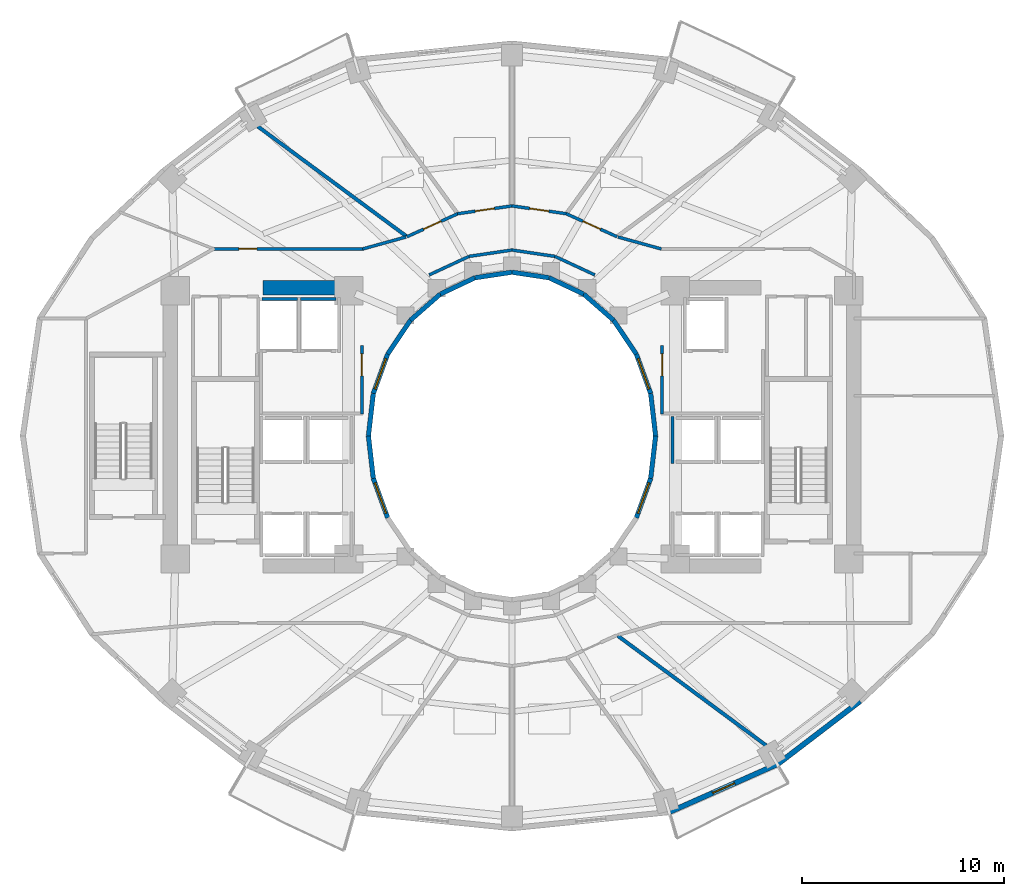
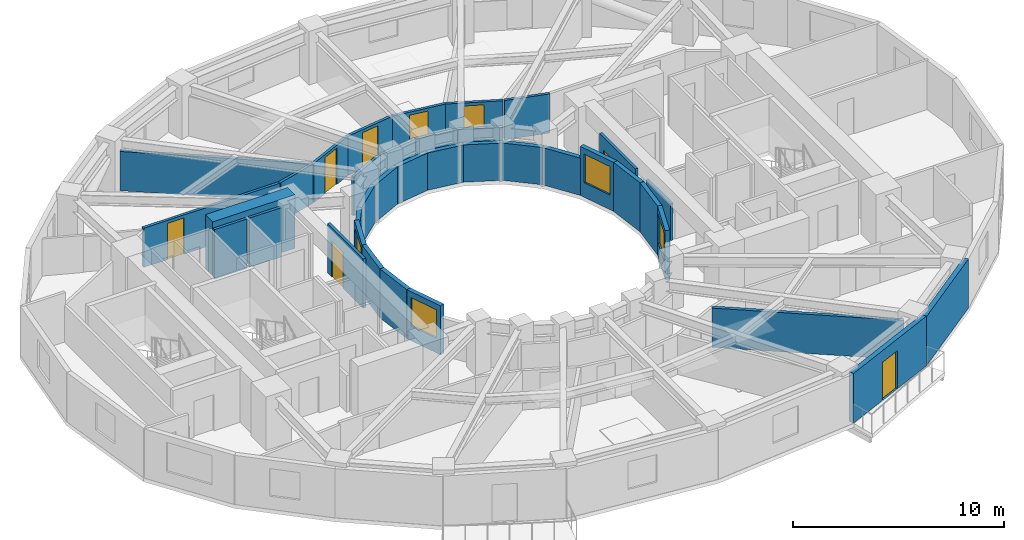
# One storey, part 5 of 10: 37 walls, 8 doors, 4 windows, 12 openings.
"""IFC4 building model written with IfcOpenShell, lengths in metres."""

from ifc_helpers import new_model, si_unit, direction, frame, frame_2d, origin, place, context, subcontext, project, spatial, rectangle, extrude, material, layer, layer_set, type_object, element, fill, save


model = new_model("IFC4")

# Units and contexts
model_context = context("Model", 3, precision=1e-05, world=origin(), true_north=direction((0.0, 1.0)))
body_context = subcontext(model_context, "Body", "Model", "MODEL_VIEW")
ifc_project = project(units=[si_unit("LENGTHUNIT", "METRE"), si_unit("AREAUNIT", "SQUARE_METRE"), si_unit("VOLUMEUNIT", "CUBIC_METRE"), si_unit("PLANEANGLEUNIT", "RADIAN"), si_unit("MASSUNIT", "GRAM", prefix="KILO")], contexts=[model_context])

# Site, building, storey
site_placement = place(None, origin())
site = spatial("IfcSite", under=ifc_project, at=site_placement, CompositionType="ELEMENT")
building_placement = place(site_placement, origin())
building = spatial("IfcBuilding", under=site, at=building_placement, Name="Solvane Sanctuary Tower", CompositionType="ELEMENT")
storey_placement = place(building_placement, frame((0.0, 0.0, 107.300048828125)))
storey = spatial("IfcBuildingStorey", under=building, at=storey_placement, Name="L32", CompositionType="ELEMENT", Elevation=107.300048828125)

# Wall
ifc_material_1 = material(Name="Concrete C60/75", Category="concrete")
ifc_layer_1 = layer(ifc_material_1, 0.699951171875, Name="Concrete C60/75")
ifc_layer_set_1 = layer_set([ifc_layer_1], Name="Concrete C60/75")
wall_type_1 = type_object("IfcWallType", Name="Wall W-CORE-700", PredefinedType="SHEAR", material=ifc_layer_set_1)
wall_1_placement = place(storey_placement, frame((19.64990234375, 30.35009765625, 0.0), z_axis=(0.0, 0.0, 1.0), x_axis=(1.0, 0.0, 0.0)))
element("IfcWall", 1, at=wall_1_placement, inside=storey, type_object=wall_type_1, Name="L32 Core Shear Wall WC-N", PredefinedType="SHEAR", context=body_context, shape_type="SweptSolid", body=[
    extrude(rectangle(XDim=4.5, YDim=0.699951171875, at=frame_2d((2.25, 0.0))), origin(), (0.0, 0.0, 1.0), 3.099853515625),
])

# Wall, opening, door
ifc_material_2 = material(Name="Acoustic Gypsum Partition Board")
ifc_layer_2 = layer(ifc_material_2, 0.14990234375, Name="Acoustic Gypsum Partition Board")
ifc_layer_set_2 = layer_set([ifc_layer_2], Name="Acoustic Gypsum Partition Board")
wall_type_2 = type_object("IfcWallType", Name="Wall W-CORR-150", PredefinedType="PARTITIONING", material=ifc_layer_set_2)
wall_2_placement = place(storey_placement, frame((24.550048828125, 24.080078125, 0.0), z_axis=(0.0, 0.0, 1.0), x_axis=(0.0, 1.0, 0.0)))
wall_2 = element("IfcWall", 2, at=wall_2_placement, inside=storey, type_object=wall_type_2, Name="L32 West Firefighting Lobby East Wall", PredefinedType="PARTITIONING", context=body_context, shape_type="SweptSolid", body=[
    extrude(rectangle(XDim=3.39990234375, YDim=0.14990234375, at=frame_2d((1.699951171875, 0.0))), origin(), (0.0, 0.0, 1.0), 2.85498046875),
])
opening_1_placement = place(wall_2_placement, frame((1.893798828125, 0.0, 0.0)))
opening_1 = element("IfcOpeningElement", 3, at=opening_1_placement, cuts=wall_2, Name="Opening D-L32-08", PredefinedType="OPENING", context=body_context, shape_type="SweptSolid", body=[
    extrude(rectangle(XDim=1.10009765625, YDim=2.10009765625, at=frame_2d((0.550048828125, 1.050048828125))), frame((0.0, 0.0849609375, 0.0), z_axis=(0.0, -1.0, 0.0), x_axis=(1.0, 0.0, 0.0)), (0.0, 0.0, 1.0), 0.169921875),
])
ifc_material_3 = material(Name="Architectural Stainless Steel 316", Category="steel")
door_type_1 = type_object("IfcDoorType", Name="Door D-FFL", OperationType="NOTDEFINED", PredefinedType="DOOR", material=ifc_material_3)
door_1_placement = place(opening_1_placement, origin())
door_1 = element("IfcDoor", 4, at=door_1_placement, inside=storey, type_object=door_type_1, Name="L32 West Firefighting Lobby Fire Door", OperationType="SINGLE_SWING_LEFT", OverallHeight=2.10009765625, OverallWidth=1.10009765625, PredefinedType="DOOR", context=body_context, shape_type="SweptSolid", body=[
    extrude(rectangle(XDim=1.10009765625, YDim=2.10009765625, at=frame_2d((0.550048828125, 1.050048828125))), frame((0.0, 0.02490234375, 0.0), z_axis=(0.0, -1.0, 0.0), x_axis=(1.0, 0.0, 0.0)), (0.0, 0.0, 1.0), 0.050048828125),
])
fill(opening_1, door_1)

wall_3_placement = place(storey_placement, frame((39.449951171875, 24.080078125, 0.0), z_axis=(0.0, 0.0, 1.0), x_axis=(0.0, 1.0, 0.0)))
wall_3 = element("IfcWall", 5, at=wall_3_placement, inside=storey, type_object=wall_type_2, Name="L32 East Firefighting Lobby West Wall", PredefinedType="PARTITIONING", context=body_context, shape_type="SweptSolid", body=[
    extrude(rectangle(XDim=3.39990234375, YDim=0.14990234375, at=frame_2d((1.699951171875, 0.0))), origin(), (0.0, 0.0, 1.0), 2.85498046875),
])
opening_2_placement = place(wall_3_placement, frame((1.893798828125, 0.0, 0.0)))
opening_2 = element("IfcOpeningElement", 6, at=opening_2_placement, cuts=wall_3, Name="Opening D-L32-09", PredefinedType="OPENING", context=body_context, shape_type="SweptSolid", body=[
    extrude(rectangle(XDim=1.10009765625, YDim=2.10009765625, at=frame_2d((0.550048828125, 1.050048828125))), frame((0.0, 0.0849609375, 0.0), z_axis=(0.0, -1.0, 0.0), x_axis=(1.0, 0.0, 0.0)), (0.0, 0.0, 1.0), 0.169921875),
])
door_2_placement = place(opening_2_placement, origin())
door_2 = element("IfcDoor", 7, at=door_2_placement, inside=storey, type_object=door_type_1, Name="L32 East Firefighting Lobby Fire Door", OperationType="SINGLE_SWING_RIGHT", OverallHeight=2.10009765625, OverallWidth=1.10009765625, PredefinedType="DOOR", context=body_context, shape_type="SweptSolid", body=[
    extrude(rectangle(XDim=1.10009765625, YDim=2.10009765625, at=frame_2d((0.550048828125, 1.050048828125))), frame((0.0, 0.02490234375, 0.0), z_axis=(0.0, -1.0, 0.0), x_axis=(1.0, 0.0, 0.0)), (0.0, 0.0, 1.0), 0.050048828125),
])
fill(opening_2, door_2)

# Walls
wall_4_placement = place(storey_placement, frame((36.110107421875, 30.98486328125, 0.0), z_axis=(0.0, 0.0, 1.0), x_axis=(-0.906943449489, 0.421252393975, 0.0)))
element("IfcWall", 8, at=wall_4_placement, inside=storey, type_object=wall_type_2, Name="L32 Light-Well Corridor Rim Wall N1", PredefinedType="PARTITIONING", context=body_context, shape_type="SweptSolid", body=[
    extrude(rectangle(XDim=2.18603515625, YDim=0.14990234375, at=frame_2d((1.093017578125, 0.0))), origin(), (0.0, 0.0, 1.0), 2.27197265625),
])
for number, where, z_axis, x_axis, name in (
    (9, (34.12744140625, 31.90576171875, 0.0), (0.0, 0.0, 1.0), (-0.989268584896, 0.146108408166, 0.0), "L32 Light-Well Corridor Rim Wall N2"),
    (10, (32.0, 32.219970703125, 0.0), (0.0, 0.0, 1.0), (-0.989268584896, -0.146108408166, 0.0), "L32 Light-Well Corridor Rim Wall N3"),
):
    element("IfcWall", number, at=place(storey_placement, frame(where, z_axis=z_axis, x_axis=x_axis)), inside=storey, type_object=wall_type_2, Name=name, PredefinedType="PARTITIONING", context=body_context, shape_type="SweptSolid", body=[
        extrude(rectangle(XDim=2.150634765625, YDim=0.14990234375, at=frame_2d((1.0751953125, 0.0))), origin(), (0.0, 0.0, 1.0), 2.27197265625),
    ])
wall_5_placement = place(storey_placement, frame((29.87255859375, 31.90576171875, 0.0), z_axis=(0.0, 0.0, 1.0), x_axis=(-0.906943449489, -0.421252393975, 0.0)))
element("IfcWall", 11, at=wall_5_placement, inside=storey, type_object=wall_type_2, Name="L32 Light-Well Corridor Rim Wall N4", PredefinedType="PARTITIONING", context=body_context, shape_type="SweptSolid", body=[
    extrude(rectangle(XDim=2.18603515625, YDim=0.14990234375, at=frame_2d((1.093017578125, 0.0))), origin(), (0.0, 0.0, 1.0), 2.27197265625),
])
for number, where, z_axis, x_axis, name in (
    (12, (37.258056640625, 32.86669921875, 0.0), (0.0, 0.0, 1.0), (0.963833843713, -0.266503886865, 0.0), "L32 NE Corner Throat Wall"),
    (13, (26.741943359375, 32.86669921875, 0.0), (0.0, 0.0, 1.0), (-0.963833843713, -0.266503886865, 0.0), "L32 NW Corner Throat Wall"),
):
    element("IfcWall", number, at=place(storey_placement, frame(where, z_axis=z_axis, x_axis=x_axis)), inside=storey, type_object=wall_type_2, Name=name, PredefinedType="PARTITIONING", context=body_context, shape_type="SweptSolid", body=[
        extrude(rectangle(XDim=2.231689453125, YDim=0.14990234375, at=frame_2d((1.11572265625, 0.0))), origin(), (0.0, 0.0, 1.0), 2.27197265625),
    ])

# Wall, opening, door
wall_6_placement = place(storey_placement, frame((17.14990234375, 32.280029296875, 0.0), z_axis=(0.0, 0.0, 1.0), x_axis=(1.0, 0.0, 0.0)))
wall_6 = element("IfcWall", 14, at=wall_6_placement, inside=storey, type_object=wall_type_2, Name="L32 NW Corner Corridor Wall", PredefinedType="PARTITIONING", context=body_context, shape_type="SweptSolid", body=[
    extrude(rectangle(XDim=7.52001953125, YDim=0.14990234375, at=frame_2d((3.760009765625, 0.0))), origin(), (0.0, 0.0, 1.0), 2.27197265625),
])
opening_3_placement = place(wall_6_placement, frame((1.300048828125, 0.0, 0.0)))
opening_3 = element("IfcOpeningElement", 15, at=opening_3_placement, cuts=wall_6, Name="Opening D-L32-19", PredefinedType="OPENING", context=body_context, shape_type="SweptSolid", body=[
    extrude(rectangle(XDim=0.89990234375, YDim=2.10009765625, at=frame_2d((0.449951171875, 1.050048828125))), frame((0.0, 0.0849609375, 0.0), z_axis=(0.0, -1.0, 0.0), x_axis=(1.0, 0.0, 0.0)), (0.0, 0.0, 1.0), 0.169921875),
])
ifc_material_4 = material(Name="Engineered Tropical Hardwood", Category="wood")
door_type_2 = type_object("IfcDoorType", Name="Door D-WET-900", OperationType="NOTDEFINED", PredefinedType="DOOR", material=ifc_material_4)
door_3_placement = place(opening_3_placement, origin())
door_3 = element("IfcDoor", 16, at=door_3_placement, inside=storey, type_object=door_type_2, Name="L32 NW Corner Salon Door", OperationType="SINGLE_SWING_RIGHT", OverallHeight=2.10009765625, OverallWidth=0.89990234375, PredefinedType="DOOR", context=body_context, shape_type="SweptSolid", body=[
    extrude(rectangle(XDim=0.89990234375, YDim=2.10009765625, at=frame_2d((0.449951171875, 1.050048828125))), frame((0.0, 0.02490234375, 0.0), z_axis=(0.0, -1.0, 0.0), x_axis=(1.0, 0.0, 0.0)), (0.0, 0.0, 1.0), 0.050048828125),
])
fill(opening_3, door_3)

wall_7_placement = place(storey_placement, frame((37.211181640625, 32.87744140625, 0.0), z_axis=(0.0, 0.0, 1.0), x_axis=(-0.910568469686, 0.41335827319, 0.0)))
wall_7 = element("IfcWall", 17, at=wall_7_placement, inside=storey, type_object=wall_type_2, Name="L32 Unit Corridor Wall N1", PredefinedType="PARTITIONING", context=body_context, shape_type="SweptSolid", body=[
    extrude(rectangle(XDim=2.771728515625, YDim=0.14990234375, at=frame_2d((1.3857421875, 0.0))), origin(), (0.0, 0.0, 1.0), 2.27197265625),
])
opening_4_placement = place(wall_7_placement, frame((0.910888671875, 0.0, 0.0)))
opening_4 = element("IfcOpeningElement", 18, at=opening_4_placement, cuts=wall_7, Name="Opening D-L32-22", PredefinedType="OPENING", context=body_context, shape_type="SweptSolid", body=[
    extrude(rectangle(XDim=0.949951171875, YDim=2.10009765625, at=frame_2d((0.47509765625, 1.050048828125))), frame((0.0, 0.0849609375, 0.0), z_axis=(0.0, -1.0, 0.0), x_axis=(1.0, 0.0, 0.0)), (0.0, 0.0, 1.0), 0.169921875),
])
door_type_3 = type_object("IfcDoorType", Name="Door D-ROOM-950", OperationType="NOTDEFINED", PredefinedType="DOOR", material=ifc_material_4)
door_4_placement = place(opening_4_placement, origin())
door_4 = element("IfcDoor", 19, at=door_4_placement, inside=storey, type_object=door_type_3, Name="L32 Unit Entrance Door N1", OperationType="SINGLE_SWING_LEFT", OverallHeight=2.10009765625, OverallWidth=0.949951171875, PredefinedType="DOOR", context=body_context, shape_type="SweptSolid", body=[
    extrude(rectangle(XDim=0.949951171875, YDim=2.10009765625, at=frame_2d((0.47509765625, 1.050048828125))), frame((0.0, 0.02490234375, 0.0), z_axis=(0.0, -1.0, 0.0), x_axis=(1.0, 0.0, 0.0)), (0.0, 0.0, 1.0), 0.050048828125),
])
fill(opening_4, door_4)

wall_8_placement = place(storey_placement, frame((34.701416015625, 34.01904296875, 0.0), z_axis=(0.0, 0.0, 1.0), x_axis=(-0.989748682384, 0.142819976611, 0.0)))
wall_8 = element("IfcWall", 20, at=wall_8_placement, inside=storey, type_object=wall_type_2, Name="L32 Unit Corridor Wall N2", PredefinedType="PARTITIONING", context=body_context, shape_type="SweptSolid", body=[
    extrude(rectangle(XDim=2.73681640625, YDim=0.14990234375, at=frame_2d((1.368408203125, 0.0))), origin(), (0.0, 0.0, 1.0), 2.27197265625),
])
opening_5_placement = place(wall_8_placement, frame((0.893310546875, 0.0, 0.0)))
opening_5 = element("IfcOpeningElement", 21, at=opening_5_placement, cuts=wall_8, Name="Opening D-L32-23", PredefinedType="OPENING", context=body_context, shape_type="SweptSolid", body=[
    extrude(rectangle(XDim=0.949951171875, YDim=2.10009765625, at=frame_2d((0.47509765625, 1.050048828125))), frame((0.0, 0.0849609375, 0.0), z_axis=(0.0, -1.0, 0.0), x_axis=(1.0, 0.0, 0.0)), (0.0, 0.0, 1.0), 0.169921875),
])
door_5_placement = place(opening_5_placement, origin())
door_5 = element("IfcDoor", 22, at=door_5_placement, inside=storey, type_object=door_type_3, Name="L32 Unit Entrance Door N2", OperationType="SINGLE_SWING_RIGHT", OverallHeight=2.10009765625, OverallWidth=0.949951171875, PredefinedType="DOOR", context=body_context, shape_type="SweptSolid", body=[
    extrude(rectangle(XDim=0.949951171875, YDim=2.10009765625, at=frame_2d((0.47509765625, 1.050048828125))), frame((0.0, 0.02490234375, 0.0), z_axis=(0.0, -1.0, 0.0), x_axis=(1.0, 0.0, 0.0)), (0.0, 0.0, 1.0), 0.050048828125),
])
fill(opening_5, door_5)

wall_9_placement = place(storey_placement, frame((32.00732421875, 34.409912109375, 0.0), z_axis=(0.0, 0.0, 1.0), x_axis=(-0.989748682384, -0.142819976611, 0.0)))
wall_9 = element("IfcWall", 23, at=wall_9_placement, inside=storey, type_object=wall_type_2, Name="L32 Unit Corridor Wall N3", PredefinedType="PARTITIONING", context=body_context, shape_type="SweptSolid", body=[
    extrude(rectangle(XDim=2.73681640625, YDim=0.14990234375, at=frame_2d((1.368408203125, 0.0))), origin(), (0.0, 0.0, 1.0), 2.27197265625),
])
opening_6_placement = place(wall_9_placement, frame((0.893310546875, 0.0, 0.0)))
opening_6 = element("IfcOpeningElement", 24, at=opening_6_placement, cuts=wall_9, Name="Opening D-L32-24", PredefinedType="OPENING", context=body_context, shape_type="SweptSolid", body=[
    extrude(rectangle(XDim=0.949951171875, YDim=2.10009765625, at=frame_2d((0.47509765625, 1.050048828125))), frame((0.0, 0.0849609375, 0.0), z_axis=(0.0, -1.0, 0.0), x_axis=(1.0, 0.0, 0.0)), (0.0, 0.0, 1.0), 0.169921875),
])
door_6_placement = place(opening_6_placement, origin())
door_6 = element("IfcDoor", 25, at=door_6_placement, inside=storey, type_object=door_type_3, Name="L32 Unit Entrance Door N3", OperationType="SINGLE_SWING_LEFT", OverallHeight=2.10009765625, OverallWidth=0.949951171875, PredefinedType="DOOR", context=body_context, shape_type="SweptSolid", body=[
    extrude(rectangle(XDim=0.949951171875, YDim=2.10009765625, at=frame_2d((0.47509765625, 1.050048828125))), frame((0.0, 0.02490234375, 0.0), z_axis=(0.0, -1.0, 0.0), x_axis=(1.0, 0.0, 0.0)), (0.0, 0.0, 1.0), 0.050048828125),
])
fill(opening_6, door_6)

wall_10_placement = place(storey_placement, frame((29.312744140625, 34.023193359375, 0.0), z_axis=(0.0, 0.0, 1.0), x_axis=(-0.910568469686, -0.41335827319, 0.0)))
wall_10 = element("IfcWall", 26, at=wall_10_placement, inside=storey, type_object=wall_type_2, Name="L32 Unit Corridor Wall N4", PredefinedType="PARTITIONING", context=body_context, shape_type="SweptSolid", body=[
    extrude(rectangle(XDim=2.771728515625, YDim=0.14990234375, at=frame_2d((1.3857421875, 0.0))), origin(), (0.0, 0.0, 1.0), 2.27197265625),
])
opening_7_placement = place(wall_10_placement, frame((0.910888671875, 0.0, 0.0)))
opening_7 = element("IfcOpeningElement", 27, at=opening_7_placement, cuts=wall_10, Name="Opening D-L32-25", PredefinedType="OPENING", context=body_context, shape_type="SweptSolid", body=[
    extrude(rectangle(XDim=0.949951171875, YDim=2.10009765625, at=frame_2d((0.47509765625, 1.050048828125))), frame((0.0, 0.0849609375, 0.0), z_axis=(0.0, -1.0, 0.0), x_axis=(1.0, 0.0, 0.0)), (0.0, 0.0, 1.0), 0.169921875),
])
door_7_placement = place(opening_7_placement, origin())
door_7 = element("IfcDoor", 28, at=door_7_placement, inside=storey, type_object=door_type_3, Name="L32 Unit Entrance Door N4", OperationType="SINGLE_SWING_RIGHT", OverallHeight=2.10009765625, OverallWidth=0.949951171875, PredefinedType="DOOR", context=body_context, shape_type="SweptSolid", body=[
    extrude(rectangle(XDim=0.949951171875, YDim=2.10009765625, at=frame_2d((0.47509765625, 1.050048828125))), frame((0.0, 0.02490234375, 0.0), z_axis=(0.0, -1.0, 0.0), x_axis=(1.0, 0.0, 0.0)), (0.0, 0.0, 1.0), 0.050048828125),
])
fill(opening_7, door_7)

ifc_material_5 = material(Name="Precast concrete C40/50", Category="concrete")
ifc_layer_3 = layer(ifc_material_5, 0.260009765625, Name="Precast concrete C40/50")
ifc_layer_set_3 = layer_set([ifc_layer_3], Name="Precast concrete C40/50")
wall_type_3 = type_object("IfcWallType", Name="Wall W-EXT-250", PredefinedType="STANDARD", material=ifc_layer_set_3)
wall_11_placement = place(storey_placement, frame((39.81640625, 4.349365234375, 0.0), z_axis=(0.0, 0.0, 1.0), x_axis=(0.914336605747, 0.404955023911, 0.0)))
wall_11 = element("IfcWall", 29, at=wall_11_placement, inside=storey, type_object=wall_type_3, Name="L32 Balcony Facade Wall S2", PredefinedType="STANDARD", context=body_context, shape_type="SweptSolid", body=[
    extrude(rectangle(XDim=5.85888671875, YDim=0.260009765625, at=frame_2d((2.929443359375, 0.0))), origin(), (0.0, 0.0, 1.0), 2.8798828125),
])
opening_8_placement = place(wall_11_placement, frame((2.329345703125, 0.0, 0.0)))
opening_8 = element("IfcOpeningElement", 30, at=opening_8_placement, cuts=wall_11, Name="Opening D-L32-04", PredefinedType="OPENING", context=body_context, shape_type="SweptSolid", body=[
    extrude(rectangle(XDim=1.199951171875, YDim=2.199951171875, at=frame_2d((0.60009765625, 1.10009765625))), frame((0.0, 0.139892578125, 0.0), z_axis=(0.0, -1.0, 0.0), x_axis=(1.0, 0.0, 0.0)), (0.0, 0.0, 1.0), 0.280029296875),
])
ifc_material_6 = material(Name="Anodised Aluminium 6063-T6", Category="aluminium")
door_type_4 = type_object("IfcDoorType", Name="Door D-BALC-1200", OperationType="NOTDEFINED", PredefinedType="DOOR", material=ifc_material_6)
door_8_placement = place(opening_8_placement, origin())
door_8 = element("IfcDoor", 31, at=door_8_placement, inside=storey, type_object=door_type_4, Name="L32 Glazed Balcony Door S2", OperationType="SINGLE_SWING_LEFT", OverallHeight=2.199951171875, OverallWidth=1.199951171875, PredefinedType="DOOR", context=body_context, shape_type="SweptSolid", body=[
    extrude(rectangle(XDim=1.199951171875, YDim=2.199951171875, at=frame_2d((0.60009765625, 1.10009765625))), frame((0.0, 0.02490234375, 0.0), z_axis=(0.0, -1.0, 0.0), x_axis=(1.0, 0.0, 0.0)), (0.0, 0.0, 1.0), 0.050048828125),
])
fill(opening_8, door_8)

# Walls
wall_12_placement = place(storey_placement, frame((45.17333984375, 6.721923828125, 0.0), z_axis=(0.0, 0.0, 1.0), x_axis=(0.794809810864, 0.606858603427, 0.0)))
element("IfcWall", 32, at=wall_12_placement, inside=storey, type_object=wall_type_3, Name="L32 Ceramic-Printed Facade Wall 20", PredefinedType="STANDARD", context=body_context, shape_type="SweptSolid", body=[
    extrude(rectangle(XDim=5.149169921875, YDim=0.260009765625, at=frame_2d((2.57470703125, 0.0))), origin(), (0.0, 0.0, 1.0), 2.849853515625),
])
ifc_layer_4 = layer(ifc_material_5, 0.22998046875, Name="Precast concrete C40/50")
ifc_layer_set_4 = layer_set([ifc_layer_4], Name="Precast concrete C40/50")
wall_type_4 = type_object("IfcWallType", Name="Wall W-EXT-SP220", PredefinedType="STANDARD", material=ifc_layer_set_4)
wall_13_placement = place(storey_placement, frame((39.1201171875, 23.0, 0.0), z_axis=(0.0, 0.0, 1.0), x_axis=(-0.114711713601, 0.993398823617, 0.0)))
element("IfcWall", 33, at=wall_13_placement, inside=storey, type_object=wall_type_4, Name="L32 Central Light-Well Wall 00", PredefinedType="STANDARD", context=body_context, shape_type="SweptSolid", body=[
    extrude(rectangle(XDim=2.115478515625, YDim=0.22998046875, at=frame_2d((1.0576171875, 0.0))), origin(), (0.0, 0.0, 1.0), 2.83984375),
])

# Wall, opening, window
wall_14_placement = place(storey_placement, frame((38.87744140625, 25.1015625, 0.0), z_axis=(0.0, 0.0, 1.0), x_axis=(-0.341423187295, 0.93990968033, 0.0)))
wall_14 = element("IfcWall", 34, at=wall_14_placement, inside=storey, type_object=wall_type_4, Name="L32 Central Light-Well Wall 01", PredefinedType="STANDARD", context=body_context, shape_type="SweptSolid", body=[
    extrude(rectangle(XDim=2.083740234375, YDim=0.22998046875, at=frame_2d((1.0419921875, 0.0))), origin(), (0.0, 0.0, 1.0), 2.83984375),
])
opening_9_placement = place(wall_14_placement, frame((0.24169921875, 0.0, 0.85009765625)))
opening_9 = element("IfcOpeningElement", 35, at=opening_9_placement, cuts=wall_14, Name="Opening WN-WELL-1600", PredefinedType="OPENING", context=body_context, shape_type="SweptSolid", body=[
    extrude(rectangle(XDim=1.60009765625, YDim=1.64990234375, at=frame_2d((0.800048828125, 0.824951171875))), frame((0.0, 0.125, 0.0), z_axis=(0.0, -1.0, 0.0), x_axis=(1.0, 0.0, 0.0)), (0.0, 0.0, 1.0), 0.25),
])
ifc_material_7 = material(Name="Clear Laminated Light-Well Glass", Category="glass")
window_type = type_object("IfcWindowType", Name="Window WN-WELL-1600", PartitioningType="SINGLE_PANEL", PredefinedType="WINDOW", material=ifc_material_7)
window_1_placement = place(opening_9_placement, origin())
window_1 = element("IfcWindow", 36, at=window_1_placement, inside=storey, type_object=window_type, Name="L32 Light-Well Daylight Window 01", OverallHeight=1.64990234375, OverallWidth=1.60009765625, PartitioningType="SINGLE_PANEL", PredefinedType="WINDOW", context=body_context, shape_type="SweptSolid", body=[
    extrude(rectangle(XDim=1.60009765625, YDim=1.64990234375, at=frame_2d((0.800048828125, 0.824951171875))), frame((0.0, 0.030029296875, 0.0), z_axis=(0.0, -1.0, 0.0), x_axis=(1.0, 0.0, 0.0)), (0.0, 0.0, 1.0), 0.06005859375),
])
fill(opening_9, window_1)

# Walls
wall_15_placement = place(storey_placement, frame((38.166015625, 27.06005859375, 0.0), z_axis=(0.0, 0.0, 1.0), x_axis=(-0.558197800898, 0.829707909492, 0.0)))
element("IfcWall", 37, at=wall_15_placement, inside=storey, type_object=wall_type_4, Name="L32 Central Light-Well Wall 02", PredefinedType="STANDARD", context=body_context, shape_type="SweptSolid", body=[
    extrude(rectangle(XDim=2.02685546875, YDim=0.22998046875, at=frame_2d((1.013427734375, 0.0))), origin(), (0.0, 0.0, 1.0), 2.159912109375),
])
wall_16_placement = place(storey_placement, frame((37.03466796875, 28.74169921875, 0.0), z_axis=(0.0, 0.0, 1.0), x_axis=(-0.752576694707, 0.658504607869, 0.0)))
element("IfcWall", 38, at=wall_16_placement, inside=storey, type_object=wall_type_4, Name="L32 Central Light-Well Wall 03", PredefinedType="STANDARD", context=body_context, shape_type="SweptSolid", body=[
    extrude(rectangle(XDim=1.95947265625, YDim=0.22998046875, at=frame_2d((0.979736328125, 0.0))), origin(), (0.0, 0.0, 1.0), 2.159912109375),
])
wall_17_placement = place(storey_placement, frame((35.56005859375, 30.031982421875, 0.0), z_axis=(0.0, 0.0, 1.0), x_axis=(-0.904179699603, 0.427152280606, 0.0)))
element("IfcWall", 39, at=wall_17_placement, inside=storey, type_object=wall_type_4, Name="L32 Central Light-Well Wall 04", PredefinedType="STANDARD", context=body_context, shape_type="SweptSolid", body=[
    extrude(rectangle(XDim=1.899169921875, YDim=0.22998046875, at=frame_2d((0.94970703125, 0.0))), origin(), (0.0, 0.0, 1.0), 2.159912109375),
])
for number, where, z_axis, x_axis, name in (
    (40, (33.8427734375, 30.84326171875, 0.0), (0.0, 0.0, 1.0), (-0.988901730308, 0.148571086668, 0.0), "L32 Central Light-Well Wall 05"),
    (41, (32.0, 31.1201171875, 0.0), (0.0, 0.0, 1.0), (-0.988901730308, -0.148571086668, 0.0), "L32 Central Light-Well Wall 06"),
):
    element("IfcWall", number, at=place(storey_placement, frame(where, z_axis=z_axis, x_axis=x_axis)), inside=storey, type_object=wall_type_4, Name=name, PredefinedType="STANDARD", context=body_context, shape_type="SweptSolid", body=[
        extrude(rectangle(XDim=1.863525390625, YDim=0.22998046875, at=frame_2d((0.931640625, 0.0))), origin(), (0.0, 0.0, 1.0), 2.159912109375),
    ])
wall_18_placement = place(storey_placement, frame((30.1572265625, 30.84326171875, 0.0), z_axis=(0.0, 0.0, 1.0), x_axis=(-0.904179699603, -0.427152280606, 0.0)))
element("IfcWall", 42, at=wall_18_placement, inside=storey, type_object=wall_type_4, Name="L32 Central Light-Well Wall 07", PredefinedType="STANDARD", context=body_context, shape_type="SweptSolid", body=[
    extrude(rectangle(XDim=1.899169921875, YDim=0.22998046875, at=frame_2d((0.94970703125, 0.0))), origin(), (0.0, 0.0, 1.0), 2.159912109375),
])
wall_19_placement = place(storey_placement, frame((28.43994140625, 30.031982421875, 0.0), z_axis=(0.0, 0.0, 1.0), x_axis=(-0.752576694707, -0.658504607869, 0.0)))
element("IfcWall", 43, at=wall_19_placement, inside=storey, type_object=wall_type_4, Name="L32 Central Light-Well Wall 08", PredefinedType="STANDARD", context=body_context, shape_type="SweptSolid", body=[
    extrude(rectangle(XDim=1.95947265625, YDim=0.22998046875, at=frame_2d((0.979736328125, 0.0))), origin(), (0.0, 0.0, 1.0), 2.159912109375),
])
wall_20_placement = place(storey_placement, frame((26.96533203125, 28.74169921875, 0.0), z_axis=(0.0, 0.0, 1.0), x_axis=(-0.558197800898, -0.829707909492, 0.0)))
element("IfcWall", 44, at=wall_20_placement, inside=storey, type_object=wall_type_4, Name="L32 Central Light-Well Wall 09", PredefinedType="STANDARD", context=body_context, shape_type="SweptSolid", body=[
    extrude(rectangle(XDim=2.02685546875, YDim=0.22998046875, at=frame_2d((1.013427734375, 0.0))), origin(), (0.0, 0.0, 1.0), 2.159912109375),
])

# Wall, opening, window
wall_21_placement = place(storey_placement, frame((25.833984375, 27.06005859375, 0.0), z_axis=(0.0, 0.0, 1.0), x_axis=(-0.341423187295, -0.93990968033, 0.0)))
wall_21 = element("IfcWall", 45, at=wall_21_placement, inside=storey, type_object=wall_type_4, Name="L32 Central Light-Well Wall 10", PredefinedType="STANDARD", context=body_context, shape_type="SweptSolid", body=[
    extrude(rectangle(XDim=2.083740234375, YDim=0.22998046875, at=frame_2d((1.0419921875, 0.0))), origin(), (0.0, 0.0, 1.0), 2.83984375),
])
opening_10_placement = place(wall_21_placement, frame((0.24169921875, 0.0, 0.85009765625)))
opening_10 = element("IfcOpeningElement", 46, at=opening_10_placement, cuts=wall_21, Name="Opening WN-WELL-1600", PredefinedType="OPENING", context=body_context, shape_type="SweptSolid", body=[
    extrude(rectangle(XDim=1.60009765625, YDim=1.64990234375, at=frame_2d((0.800048828125, 0.824951171875))), frame((0.0, 0.125, 0.0), z_axis=(0.0, -1.0, 0.0), x_axis=(1.0, 0.0, 0.0)), (0.0, 0.0, 1.0), 0.25),
])
window_2_placement = place(opening_10_placement, origin())
window_2 = element("IfcWindow", 47, at=window_2_placement, inside=storey, type_object=window_type, Name="L32 Light-Well Daylight Window 10", OverallHeight=1.64990234375, OverallWidth=1.60009765625, PartitioningType="SINGLE_PANEL", PredefinedType="WINDOW", context=body_context, shape_type="SweptSolid", body=[
    extrude(rectangle(XDim=1.60009765625, YDim=1.64990234375, at=frame_2d((0.800048828125, 0.824951171875))), frame((0.0, 0.030029296875, 0.0), z_axis=(0.0, -1.0, 0.0), x_axis=(1.0, 0.0, 0.0)), (0.0, 0.0, 1.0), 0.06005859375),
])
fill(opening_10, window_2)

# Walls
for number, where, z_axis, x_axis, name in (
    (48, (25.12255859375, 25.1015625, 0.0), (0.0, 0.0, 1.0), (-0.114711713601, -0.993398823617, 0.0), "L32 Central Light-Well Wall 11"),
    (49, (24.8798828125, 23.0, 0.0), (0.0, 0.0, 1.0), (0.114711713601, -0.993398823617, 0.0), "L32 Central Light-Well Wall 12"),
):
    element("IfcWall", number, at=place(storey_placement, frame(where, z_axis=z_axis, x_axis=x_axis)), inside=storey, type_object=wall_type_4, Name=name, PredefinedType="STANDARD", context=body_context, shape_type="SweptSolid", body=[
        extrude(rectangle(XDim=2.115478515625, YDim=0.22998046875, at=frame_2d((1.0576171875, 0.0))), origin(), (0.0, 0.0, 1.0), 2.83984375),
    ])

# Wall, opening, window
wall_22_placement = place(storey_placement, frame((25.12255859375, 20.8984375, 0.0), z_axis=(0.0, 0.0, 1.0), x_axis=(0.341423187295, -0.93990968033, 0.0)))
wall_22 = element("IfcWall", 50, at=wall_22_placement, inside=storey, type_object=wall_type_4, Name="L32 Central Light-Well Wall 13", PredefinedType="STANDARD", context=body_context, shape_type="SweptSolid", body=[
    extrude(rectangle(XDim=2.083740234375, YDim=0.22998046875, at=frame_2d((1.0419921875, 0.0))), origin(), (0.0, 0.0, 1.0), 2.83984375),
])
opening_11_placement = place(wall_22_placement, frame((0.24169921875, 0.0, 0.85009765625)))
opening_11 = element("IfcOpeningElement", 51, at=opening_11_placement, cuts=wall_22, Name="Opening WN-WELL-1600", PredefinedType="OPENING", context=body_context, shape_type="SweptSolid", body=[
    extrude(rectangle(XDim=1.60009765625, YDim=1.64990234375, at=frame_2d((0.800048828125, 0.824951171875))), frame((0.0, 0.125, 0.0), z_axis=(0.0, -1.0, 0.0), x_axis=(1.0, 0.0, 0.0)), (0.0, 0.0, 1.0), 0.25),
])
window_3_placement = place(opening_11_placement, origin())
window_3 = element("IfcWindow", 52, at=window_3_placement, inside=storey, type_object=window_type, Name="L32 Light-Well Daylight Window 13", OverallHeight=1.64990234375, OverallWidth=1.60009765625, PartitioningType="SINGLE_PANEL", PredefinedType="WINDOW", context=body_context, shape_type="SweptSolid", body=[
    extrude(rectangle(XDim=1.60009765625, YDim=1.64990234375, at=frame_2d((0.800048828125, 0.824951171875))), frame((0.0, 0.030029296875, 0.0), z_axis=(0.0, -1.0, 0.0), x_axis=(1.0, 0.0, 0.0)), (0.0, 0.0, 1.0), 0.06005859375),
])
fill(opening_11, window_3)

wall_23_placement = place(storey_placement, frame((38.166015625, 18.93994140625, 0.0), z_axis=(0.0, 0.0, 1.0), x_axis=(0.341423187295, 0.93990968033, 0.0)))
wall_23 = element("IfcWall", 53, at=wall_23_placement, inside=storey, type_object=wall_type_4, Name="L32 Central Light-Well Wall 22", PredefinedType="STANDARD", context=body_context, shape_type="SweptSolid", body=[
    extrude(rectangle(XDim=2.083740234375, YDim=0.22998046875, at=frame_2d((1.0419921875, 0.0))), origin(), (0.0, 0.0, 1.0), 2.83984375),
])
opening_12_placement = place(wall_23_placement, frame((0.24169921875, 0.0, 0.85009765625)))
opening_12 = element("IfcOpeningElement", 54, at=opening_12_placement, cuts=wall_23, Name="Opening WN-WELL-1600", PredefinedType="OPENING", context=body_context, shape_type="SweptSolid", body=[
    extrude(rectangle(XDim=1.60009765625, YDim=1.64990234375, at=frame_2d((0.800048828125, 0.824951171875))), frame((0.0, 0.125, 0.0), z_axis=(0.0, -1.0, 0.0), x_axis=(1.0, 0.0, 0.0)), (0.0, 0.0, 1.0), 0.25),
])
window_4_placement = place(opening_12_placement, origin())
window_4 = element("IfcWindow", 55, at=window_4_placement, inside=storey, type_object=window_type, Name="L32 Light-Well Daylight Window 22", OverallHeight=1.64990234375, OverallWidth=1.60009765625, PartitioningType="SINGLE_PANEL", PredefinedType="WINDOW", context=body_context, shape_type="SweptSolid", body=[
    extrude(rectangle(XDim=1.60009765625, YDim=1.64990234375, at=frame_2d((0.800048828125, 0.824951171875))), frame((0.0, 0.030029296875, 0.0), z_axis=(0.0, -1.0, 0.0), x_axis=(1.0, 0.0, 0.0)), (0.0, 0.0, 1.0), 0.06005859375),
])
fill(opening_12, window_4)

# Walls
wall_24_placement = place(storey_placement, frame((38.87744140625, 20.8984375, 0.0), z_axis=(0.0, 0.0, 1.0), x_axis=(0.114711713601, 0.993398823617, 0.0)))
element("IfcWall", 56, at=wall_24_placement, inside=storey, type_object=wall_type_4, Name="L32 Central Light-Well Wall 23", PredefinedType="STANDARD", context=body_context, shape_type="SweptSolid", body=[
    extrude(rectangle(XDim=2.115478515625, YDim=0.22998046875, at=frame_2d((1.0576171875, 0.0))), origin(), (0.0, 0.0, 1.0), 2.83984375),
])
ifc_material_8 = material(Name="Concrete C50/60", Category="concrete")
ifc_layer_5 = layer(ifc_material_8, 0.14990234375, Name="Concrete C50/60")
ifc_layer_set_5 = layer_set([ifc_layer_5], Name="Concrete C50/60")
wall_type_5 = type_object("IfcWallType", Name="Wall W-SHAFT-150", PredefinedType="SOLIDWALL", material=ifc_layer_set_5)
wall_25_placement = place(storey_placement, frame((39.969970703125, 21.639892578125, 0.0), z_axis=(0.0, 0.0, 1.0), x_axis=(0.0, 1.0, 0.0)))
element("IfcWall", 57, at=wall_25_placement, inside=storey, type_object=wall_type_5, Name="L32 PH-2 Lift Shaft Wall S1", PredefinedType="SOLIDWALL", context=body_context, shape_type="SweptSolid", body=[
    extrude(rectangle(XDim=2.320068359375, YDim=0.14990234375, at=frame_2d((1.16015625, 0.0))), origin(), (0.0, 0.0, 1.0), 2.119873046875),
])
for number, where, z_axis, x_axis, name in (
    (58, (19.590087890625, 29.780029296875, 0.0), (0.0, 0.0, 1.0), (1.0, 0.0, 0.0), "L32 FFL-1 Lift Shaft Wall B"),
    (59, (21.5, 29.780029296875, 0.0), (0.0, 0.0, 1.0), (1.0, 0.0, 0.0), "L32 SVL-1 Lift Shaft Wall B"),
):
    element("IfcWall", number, at=place(storey_placement, frame(where, z_axis=z_axis, x_axis=x_axis)), inside=storey, type_object=wall_type_5, Name=name, PredefinedType="SOLIDWALL", context=body_context, shape_type="SweptSolid", body=[
        extrude(rectangle(XDim=1.760009765625, YDim=0.14990234375, at=frame_2d((0.8798828125, 0.0))), origin(), (0.0, 0.0, 1.0), 2.85498046875),
    ])
ifc_layer_6 = layer(ifc_material_2, 0.179931640625, Name="Acoustic Gypsum Partition Board")
ifc_layer_set_6 = layer_set([ifc_layer_6], Name="Acoustic Gypsum Partition Board")
wall_type_6 = type_object("IfcWallType", Name="Wall W-UNIT-180", PredefinedType="PARTITIONING", material=ifc_layer_set_6)
for number, where, z_axis, x_axis, name in (
    (60, (26.750732421875, 32.9140625, 0.0), (0.0, 0.0, 1.0), (-0.80430981394, 0.594210167533, 0.0), "L32 Radial Compartment Wall 120"),
    (61, (37.249267578125, 13.0859375, 0.0), (0.0, 0.0, 1.0), (0.80430981394, -0.594210167533, 0.0), "L32 Radial Compartment Wall 300"),
):
    element("IfcWall", number, at=place(storey_placement, frame(where, z_axis=z_axis, x_axis=x_axis)), inside=storey, type_object=wall_type_6, Name=name, PredefinedType="PARTITIONING", context=body_context, shape_type="SweptSolid", body=[
        extrude(rectangle(XDim=9.146240234375, YDim=0.179931640625, at=frame_2d((4.5732421875, 0.0))), origin(), (0.0, 0.0, 1.0), 2.27197265625),
    ])

save(model, "model.ifc")
